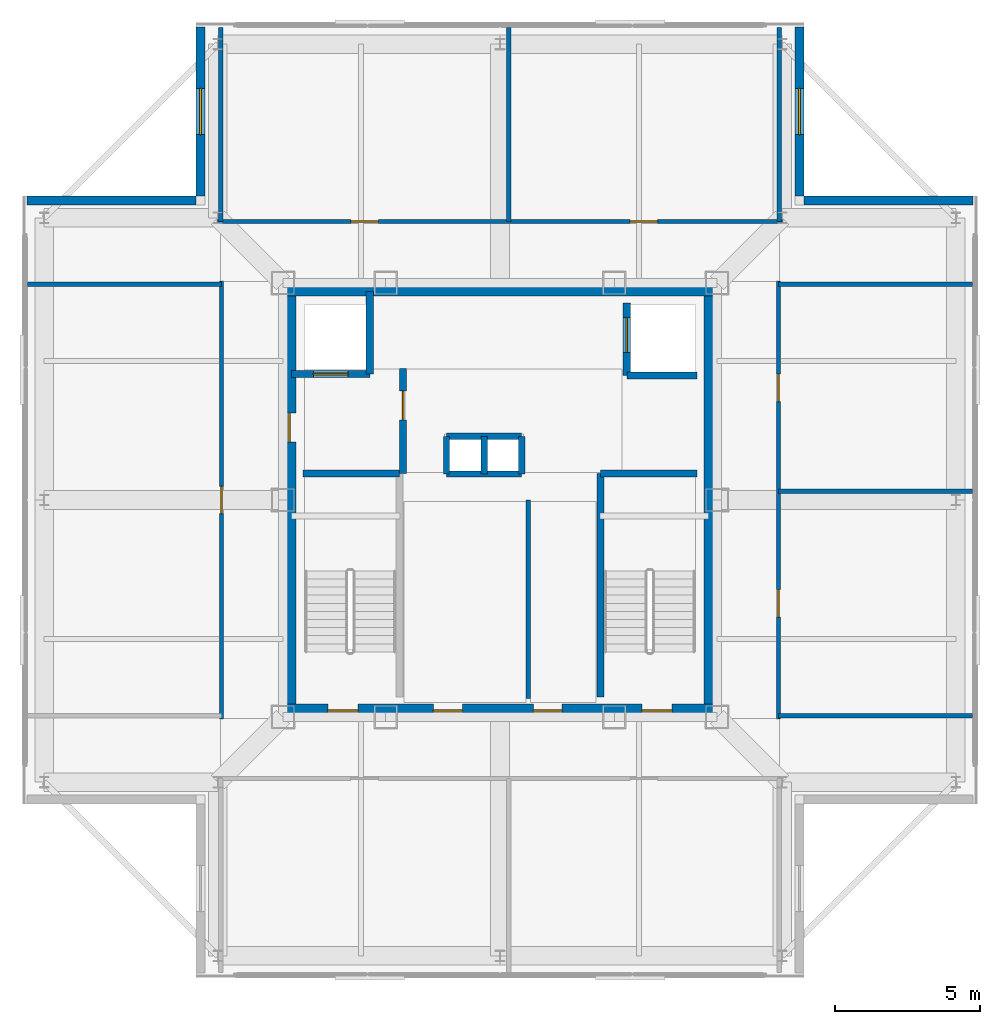
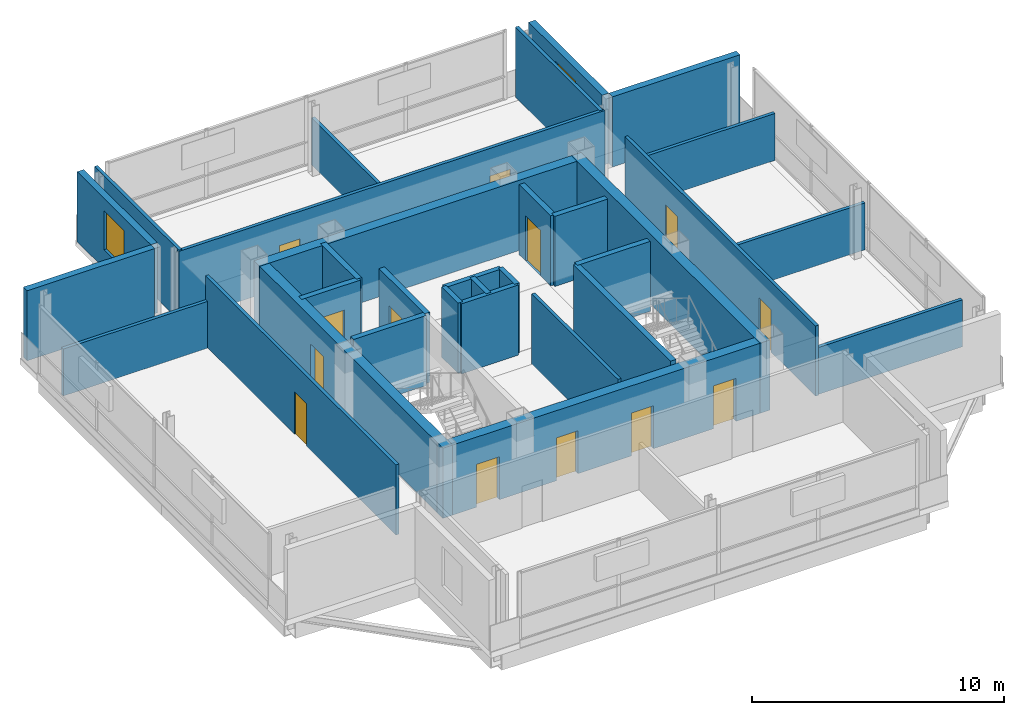
# One storey, part 8 of 11: 32 walls, 13 doors, 2 windows, 15 openings.
"""IFC4 building model written with IfcOpenShell, lengths in metres."""

from ifc_helpers import new_model, si_unit, direction, frame, frame_2d, origin, place, context, subcontext, project, spatial, rectangle, extrude, material, layer, layer_set, type_object, element, fill, save


model = new_model("IFC4")

# Units and contexts
model_context = context("Model", 3, precision=1e-05, world=origin(), true_north=direction((0.0, 1.0)))
body_context = subcontext(model_context, "Body", "Model", "MODEL_VIEW")
ifc_project = project(units=[si_unit("LENGTHUNIT", "METRE"), si_unit("AREAUNIT", "SQUARE_METRE"), si_unit("VOLUMEUNIT", "CUBIC_METRE"), si_unit("PLANEANGLEUNIT", "RADIAN"), si_unit("MASSUNIT", "GRAM", prefix="KILO")], contexts=[model_context])

# Site, building, storey
site_placement = place(None, origin())
site = spatial("IfcSite", under=ifc_project, at=site_placement, CompositionType="ELEMENT")
building_placement = place(site_placement, origin())
building = spatial("IfcBuilding", under=site, at=building_placement, Name="Trevonay Congress Spire", CompositionType="ELEMENT")
storey_placement = place(building_placement, frame((0.0, 0.0, 312.199951171875)))
storey = spatial("IfcBuildingStorey", under=building, at=storey_placement, Name="L82", CompositionType="ELEMENT", Elevation=312.199951171875)

# Wall, openings, doors
ifc_material_1 = material(Name="Concrete C50/60", Category="concrete")
ifc_layer_1 = layer(ifc_material_1, 0.449951171875, Name="Concrete C50/60")
ifc_layer_set_1 = layer_set([ifc_layer_1], Name="Concrete C50/60")
wall_type_1 = type_object("IfcWallType", Name="WAL-CORE-450", PredefinedType="SHEAR", material=ifc_layer_set_1)
wall_1_placement = place(storey_placement, frame((-7.5, -7.27490234375, 0.0), z_axis=(0.0, 0.0, 1.0), x_axis=(1.0, 0.0, 0.0)))
wall_1 = element("IfcWall", 1, at=wall_1_placement, inside=storey, type_object=wall_type_1, Name="L82 South structural core shear wall", PredefinedType="SHEAR", context=body_context, shape_type="SweptSolid", body=[
    extrude(rectangle(XDim=15.0, YDim=0.449951171875, at=frame_2d((7.5, 0.0))), origin(), (0.0, 0.0, 1.0), 3.400146484375),
])
opening_1_placement = place(wall_1_placement, frame((1.550048828125, 0.0, 0.0)))
opening_1 = element("IfcOpeningElement", 2, at=opening_1_placement, cuts=wall_1, Name="Opening D05", PredefinedType="OPENING", context=body_context, shape_type="SweptSolid", body=[
    extrude(rectangle(XDim=1.050048828125, YDim=2.080078125, at=frame_2d((0.52490234375, 1.0400390625))), frame((0.0, 0.23486328125, 0.0), z_axis=(0.0, -1.0, 0.0), x_axis=(1.0, 0.0, 0.0)), (0.0, 0.0, 1.0), 0.469970703125),
])
opening_2_placement = place(wall_1_placement, frame((12.39990234375, 0.0, 0.0)))
opening_2 = element("IfcOpeningElement", 3, at=opening_2_placement, cuts=wall_1, Name="Opening D05", PredefinedType="OPENING", context=body_context, shape_type="SweptSolid", body=[
    extrude(rectangle(XDim=1.050048828125, YDim=2.080078125, at=frame_2d((0.52490234375, 1.0400390625))), frame((0.0, 0.23486328125, 0.0), z_axis=(0.0, -1.0, 0.0), x_axis=(1.0, 0.0, 0.0)), (0.0, 0.0, 1.0), 0.469970703125),
])
opening_3_placement = place(wall_1_placement, frame((5.199951171875, 0.0, 0.0)))
opening_3 = element("IfcOpeningElement", 4, at=opening_3_placement, cuts=wall_1, Name="Opening D06", PredefinedType="OPENING", context=body_context, shape_type="SweptSolid", body=[
    extrude(rectangle(XDim=1.0, YDim=2.080078125, at=frame_2d((0.5, 1.0400390625))), frame((0.0, 0.23486328125, 0.0), z_axis=(0.0, -1.0, 0.0), x_axis=(1.0, 0.0, 0.0)), (0.0, 0.0, 1.0), 0.469970703125),
])
opening_4_placement = place(wall_1_placement, frame((8.64990234375, 0.0, 0.0)))
opening_4 = element("IfcOpeningElement", 5, at=opening_4_placement, cuts=wall_1, Name="Opening D06", PredefinedType="OPENING", context=body_context, shape_type="SweptSolid", body=[
    extrude(rectangle(XDim=1.0, YDim=2.080078125, at=frame_2d((0.5, 1.0400390625))), frame((0.0, 0.23486328125, 0.0), z_axis=(0.0, -1.0, 0.0), x_axis=(1.0, 0.0, 0.0)), (0.0, 0.0, 1.0), 0.469970703125),
])
ifc_material_2 = material(Name="Steel ASTM A572 Grade 50", Category="steel")
door_type_1 = type_object("IfcDoorType", Name="DOR-FIRE-100", OperationType="NOTDEFINED", PredefinedType="DOOR", material=ifc_material_2)
door_1_placement = place(opening_3_placement, origin())
door_1 = element("IfcDoor", 6, at=door_1_placement, inside=storey, type_object=door_type_1, Name="L82 South Core Room 1 Door", OperationType="SINGLE_SWING_RIGHT", OverallHeight=2.080078125, OverallWidth=1.0, PredefinedType="DOOR", context=body_context, shape_type="SweptSolid", body=[
    extrude(rectangle(XDim=1.0, YDim=2.080078125, at=frame_2d((0.5, 1.0400390625))), frame((0.0, 0.02490234375, 0.0), z_axis=(0.0, -1.0, 0.0), x_axis=(1.0, 0.0, 0.0)), (0.0, 0.0, 1.0), 0.050048828125),
])
fill(opening_3, door_1)
door_2_placement = place(opening_4_placement, origin())
door_2 = element("IfcDoor", 7, at=door_2_placement, inside=storey, type_object=door_type_1, Name="L82 South Core Room 2 Door", OperationType="SINGLE_SWING_LEFT", OverallHeight=2.080078125, OverallWidth=1.0, PredefinedType="DOOR", context=body_context, shape_type="SweptSolid", body=[
    extrude(rectangle(XDim=1.0, YDim=2.080078125, at=frame_2d((0.5, 1.0400390625))), frame((0.0, 0.02490234375, 0.0), z_axis=(0.0, -1.0, 0.0), x_axis=(1.0, 0.0, 0.0)), (0.0, 0.0, 1.0), 0.050048828125),
])
fill(opening_4, door_2)
door_type_2 = type_object("IfcDoorType", Name="DOR-STAIR-110", OperationType="NOTDEFINED", PredefinedType="DOOR", material=ifc_material_2)
door_3_placement = place(opening_1_placement, origin())
door_3 = element("IfcDoor", 8, at=door_3_placement, inside=storey, type_object=door_type_2, Name="L82 Protected Stair ST-1 Door", OperationType="SINGLE_SWING_LEFT", OverallHeight=2.080078125, OverallWidth=1.050048828125, PredefinedType="DOOR", context=body_context, shape_type="SweptSolid", body=[
    extrude(rectangle(XDim=1.050048828125, YDim=2.080078125, at=frame_2d((0.52490234375, 1.0400390625))), frame((0.0, 0.02490234375, 0.0), z_axis=(0.0, -1.0, 0.0), x_axis=(1.0, 0.0, 0.0)), (0.0, 0.0, 1.0), 0.050048828125),
])
fill(opening_1, door_3)
door_4_placement = place(opening_2_placement, origin())
door_4 = element("IfcDoor", 9, at=door_4_placement, inside=storey, type_object=door_type_2, Name="L82 Protected Stair ST-2 Door", OperationType="SINGLE_SWING_RIGHT", OverallHeight=2.080078125, OverallWidth=1.050048828125, PredefinedType="DOOR", context=body_context, shape_type="SweptSolid", body=[
    extrude(rectangle(XDim=1.050048828125, YDim=2.080078125, at=frame_2d((0.52490234375, 1.0400390625))), frame((0.0, 0.02490234375, 0.0), z_axis=(0.0, -1.0, 0.0), x_axis=(1.0, 0.0, 0.0)), (0.0, 0.0, 1.0), 0.050048828125),
])
fill(opening_2, door_4)

# Wall
wall_2_placement = place(storey_placement, frame((-7.5, 7.27490234375, 0.0), z_axis=(0.0, 0.0, 1.0), x_axis=(1.0, 0.0, 0.0)))
element("IfcWall", 10, at=wall_2_placement, inside=storey, type_object=wall_type_1, Name="L82 North structural core shear wall", PredefinedType="SHEAR", context=body_context, shape_type="SweptSolid", body=[
    extrude(rectangle(XDim=15.0, YDim=0.449951171875, at=frame_2d((7.5, 0.0))), origin(), (0.0, 0.0, 1.0), 3.400146484375),
])

# Wall, opening, door
wall_3_placement = place(storey_placement, frame((-7.27490234375, -7.5, 0.0), z_axis=(0.0, 0.0, 1.0), x_axis=(0.0, 1.0, 0.0)))
wall_3 = element("IfcWall", 11, at=wall_3_placement, inside=storey, type_object=wall_type_1, Name="L82 West structural core shear wall", PredefinedType="SHEAR", context=body_context, shape_type="SweptSolid", body=[
    extrude(rectangle(XDim=15.0, YDim=0.449951171875, at=frame_2d((7.5, 0.0))), origin(), (0.0, 0.0, 1.0), 3.400146484375),
])
opening_5_placement = place(wall_3_placement, frame((9.5, 0.0, 0.0)))
opening_5 = element("IfcOpeningElement", 12, at=opening_5_placement, cuts=wall_3, Name="Opening D06", PredefinedType="OPENING", context=body_context, shape_type="SweptSolid", body=[
    extrude(rectangle(XDim=1.0, YDim=2.080078125, at=frame_2d((0.5, 1.0400390625))), frame((0.0, 0.23486328125, 0.0), z_axis=(0.0, -1.0, 0.0), x_axis=(1.0, 0.0, 0.0)), (0.0, 0.0, 1.0), 0.469970703125),
])
door_5_placement = place(opening_5_placement, origin())
door_5 = element("IfcDoor", 13, at=door_5_placement, inside=storey, type_object=door_type_1, Name="L82 Firefighting Lift Lobby West Corridor Door", OperationType="SINGLE_SWING_LEFT", OverallHeight=2.080078125, OverallWidth=1.0, PredefinedType="DOOR", context=body_context, shape_type="SweptSolid", body=[
    extrude(rectangle(XDim=1.0, YDim=2.080078125, at=frame_2d((0.5, 1.0400390625))), frame((0.0, 0.02490234375, 0.0), z_axis=(0.0, -1.0, 0.0), x_axis=(1.0, 0.0, 0.0)), (0.0, 0.0, 1.0), 0.050048828125),
])
fill(opening_5, door_5)

# Wall
wall_4_placement = place(storey_placement, frame((7.27490234375, -7.5, 0.0), z_axis=(0.0, 0.0, 1.0), x_axis=(0.0, 1.0, 0.0)))
element("IfcWall", 14, at=wall_4_placement, inside=storey, type_object=wall_type_1, Name="L82 East structural core shear wall", PredefinedType="SHEAR", context=body_context, shape_type="SweptSolid", body=[
    extrude(rectangle(XDim=15.0, YDim=0.449951171875, at=frame_2d((7.5, 0.0))), origin(), (0.0, 0.0, 1.0), 3.400146484375),
])

# Wall, openings, doors
ifc_material_3 = material(Name="Concrete C40/50", Category="concrete")
ifc_layer_2 = layer(ifc_material_3, 0.14990234375, Name="Concrete C40/50")
ifc_layer_set_2 = layer_set([ifc_layer_2], Name="Concrete C40/50")
wall_type_2 = type_object("IfcWallType", Name="WAL-CORR-150", PredefinedType="PARTITIONING", material=ifc_layer_set_2)
wall_5_placement = place(storey_placement, frame((-9.77001953125, 9.6201171875, 0.0), z_axis=(0.0, 0.0, 1.0), x_axis=(1.0, 0.0, 0.0)))
wall_5 = element("IfcWall", 15, at=wall_5_placement, inside=storey, type_object=wall_type_2, Name="L82 interior wall WP-L82N-COR", PredefinedType="PARTITIONING", context=body_context, shape_type="SweptSolid", body=[
    extrude(rectangle(XDim=19.5400390625, YDim=0.14990234375, at=frame_2d((9.77001953125, 0.0))), origin(), (0.0, 0.0, 1.0), 3.400146484375),
])
opening_6_placement = place(wall_5_placement, frame((4.6201171875, 0.0, 0.0)))
opening_6 = element("IfcOpeningElement", 16, at=opening_6_placement, cuts=wall_5, Name="Opening D07", PredefinedType="OPENING", context=body_context, shape_type="SweptSolid", body=[
    extrude(rectangle(XDim=0.949951171875, YDim=2.06005859375, at=frame_2d((0.47509765625, 1.030029296875))), frame((0.0, 0.0849609375, 0.0), z_axis=(0.0, -1.0, 0.0), x_axis=(1.0, 0.0, 0.0)), (0.0, 0.0, 1.0), 0.169921875),
])
opening_7_placement = place(wall_5_placement, frame((14.27001953125, 0.0, 0.0)))
opening_7 = element("IfcOpeningElement", 17, at=opening_7_placement, cuts=wall_5, Name="Opening D07", PredefinedType="OPENING", context=body_context, shape_type="SweptSolid", body=[
    extrude(rectangle(XDim=0.949951171875, YDim=2.06005859375, at=frame_2d((0.47509765625, 1.030029296875))), frame((0.0, 0.0849609375, 0.0), z_axis=(0.0, -1.0, 0.0), x_axis=(1.0, 0.0, 0.0)), (0.0, 0.0, 1.0), 0.169921875),
])
ifc_material_4 = material(Name="Pale Anodised Aluminium EN AW-6063-T6", Category="aluminium")
door_type_3 = type_object("IfcDoorType", Name="DOR-OFFICE-95", OperationType="NOTDEFINED", PredefinedType="DOOR", material=ifc_material_4)
door_6_placement = place(opening_6_placement, origin())
door_6 = element("IfcDoor", 18, at=door_6_placement, inside=storey, type_object=door_type_3, Name="L82 Upper AHU Heat-Recovery Plant Door", OperationType="SINGLE_SWING_LEFT", OverallHeight=2.06005859375, OverallWidth=0.949951171875, PredefinedType="DOOR", context=body_context, shape_type="SweptSolid", body=[
    extrude(rectangle(XDim=0.949951171875, YDim=2.06005859375, at=frame_2d((0.47509765625, 1.030029296875))), frame((0.0, 0.02490234375, 0.0), z_axis=(0.0, -1.0, 0.0), x_axis=(1.0, 0.0, 0.0)), (0.0, 0.0, 1.0), 0.050048828125),
])
fill(opening_6, door_6)
door_7_placement = place(opening_7_placement, origin())
door_7 = element("IfcDoor", 19, at=door_7_placement, inside=storey, type_object=door_type_3, Name="L82 Smoke Extract Fan Plant Door", OperationType="SINGLE_SWING_RIGHT", OverallHeight=2.06005859375, OverallWidth=0.949951171875, PredefinedType="DOOR", context=body_context, shape_type="SweptSolid", body=[
    extrude(rectangle(XDim=0.949951171875, YDim=2.06005859375, at=frame_2d((0.47509765625, 1.030029296875))), frame((0.0, 0.02490234375, 0.0), z_axis=(0.0, -1.0, 0.0), x_axis=(1.0, 0.0, 0.0)), (0.0, 0.0, 1.0), 0.050048828125),
])
fill(opening_7, door_7)

# Wall, opening, door
wall_6_placement = place(storey_placement, frame((-9.6201171875, -7.570068359375, 0.0), z_axis=(0.0, 0.0, 1.0), x_axis=(0.0, 1.0, 0.0)))
wall_6 = element("IfcWall", 20, at=wall_6_placement, inside=storey, type_object=wall_type_2, Name="L82 interior wall WP-L82W-COR", PredefinedType="PARTITIONING", context=body_context, shape_type="SweptSolid", body=[
    extrude(rectangle(XDim=15.14013671875, YDim=0.14990234375, at=frame_2d((7.570068359375, 0.0))), origin(), (0.0, 0.0, 1.0), 3.400146484375),
])
opening_8_placement = place(wall_6_placement, frame((7.094970703125, 0.0, 0.0)))
opening_8 = element("IfcOpeningElement", 21, at=opening_8_placement, cuts=wall_6, Name="Opening D07", PredefinedType="OPENING", context=body_context, shape_type="SweptSolid", body=[
    extrude(rectangle(XDim=0.949951171875, YDim=2.06005859375, at=frame_2d((0.47509765625, 1.030029296875))), frame((0.0, 0.0849609375, 0.0), z_axis=(0.0, -1.0, 0.0), x_axis=(1.0, 0.0, 0.0)), (0.0, 0.0, 1.0), 0.169921875),
])
door_8_placement = place(opening_8_placement, origin())
door_8 = element("IfcDoor", 22, at=door_8_placement, inside=storey, type_object=door_type_3, Name="L82 High-Zone Lift Machine Plant Door", OperationType="SINGLE_SWING_LEFT", OverallHeight=2.06005859375, OverallWidth=0.949951171875, PredefinedType="DOOR", context=body_context, shape_type="SweptSolid", body=[
    extrude(rectangle(XDim=0.949951171875, YDim=2.06005859375, at=frame_2d((0.47509765625, 1.030029296875))), frame((0.0, 0.02490234375, 0.0), z_axis=(0.0, -1.0, 0.0), x_axis=(1.0, 0.0, 0.0)), (0.0, 0.0, 1.0), 0.050048828125),
])
fill(opening_8, door_8)

# Wall, openings, doors
wall_7_placement = place(storey_placement, frame((9.6201171875, -7.570068359375, 0.0), z_axis=(0.0, 0.0, 1.0), x_axis=(0.0, 1.0, 0.0)))
wall_7 = element("IfcWall", 23, at=wall_7_placement, inside=storey, type_object=wall_type_2, Name="L82 interior wall WP-L82E-COR", PredefinedType="PARTITIONING", context=body_context, shape_type="SweptSolid", body=[
    extrude(rectangle(XDim=15.14013671875, YDim=0.14990234375, at=frame_2d((7.570068359375, 0.0))), origin(), (0.0, 0.0, 1.0), 3.400146484375),
])
opening_9_placement = place(wall_7_placement, frame((3.52001953125, 0.0, 0.0)))
opening_9 = element("IfcOpeningElement", 24, at=opening_9_placement, cuts=wall_7, Name="Opening D07", PredefinedType="OPENING", context=body_context, shape_type="SweptSolid", body=[
    extrude(rectangle(XDim=0.949951171875, YDim=2.06005859375, at=frame_2d((0.47509765625, 1.030029296875))), frame((0.0, 0.0849609375, 0.0), z_axis=(0.0, -1.0, 0.0), x_axis=(1.0, 0.0, 0.0)), (0.0, 0.0, 1.0), 0.169921875),
])
opening_10_placement = place(wall_7_placement, frame((10.969970703125, 0.0, 0.0)))
opening_10 = element("IfcOpeningElement", 25, at=opening_10_placement, cuts=wall_7, Name="Opening D07", PredefinedType="OPENING", context=body_context, shape_type="SweptSolid", body=[
    extrude(rectangle(XDim=0.949951171875, YDim=2.06005859375, at=frame_2d((0.47509765625, 1.030029296875))), frame((0.0, 0.0849609375, 0.0), z_axis=(0.0, -1.0, 0.0), x_axis=(1.0, 0.0, 0.0)), (0.0, 0.0, 1.0), 0.169921875),
])
door_9_placement = place(opening_9_placement, origin())
door_9 = element("IfcDoor", 26, at=door_9_placement, inside=storey, type_object=door_type_3, Name="L82 Crown BMS Switchboard Plant Door", OperationType="SINGLE_SWING_RIGHT", OverallHeight=2.06005859375, OverallWidth=0.949951171875, PredefinedType="DOOR", context=body_context, shape_type="SweptSolid", body=[
    extrude(rectangle(XDim=0.949951171875, YDim=2.06005859375, at=frame_2d((0.47509765625, 1.030029296875))), frame((0.0, 0.02490234375, 0.0), z_axis=(0.0, -1.0, 0.0), x_axis=(1.0, 0.0, 0.0)), (0.0, 0.0, 1.0), 0.050048828125),
])
fill(opening_9, door_9)
door_10_placement = place(opening_10_placement, origin())
door_10 = element("IfcDoor", 27, at=door_10_placement, inside=storey, type_object=door_type_3, Name="L82 Pressurization Fan Plant Door", OperationType="SINGLE_SWING_LEFT", OverallHeight=2.06005859375, OverallWidth=0.949951171875, PredefinedType="DOOR", context=body_context, shape_type="SweptSolid", body=[
    extrude(rectangle(XDim=0.949951171875, YDim=2.06005859375, at=frame_2d((0.47509765625, 1.030029296875))), frame((0.0, 0.02490234375, 0.0), z_axis=(0.0, -1.0, 0.0), x_axis=(1.0, 0.0, 0.0)), (0.0, 0.0, 1.0), 0.050048828125),
])
fill(opening_10, door_10)

# Wall, opening, window
ifc_material_5 = material(Name="Precast concrete C40/50", Category="concrete")
ifc_layer_3 = layer(ifc_material_5, 0.300048828125, Name="Precast concrete C40/50")
ifc_layer_set_3 = layer_set([ifc_layer_3], Name="Precast concrete C40/50")
wall_type_3 = type_object("IfcWallType", Name="WAL-EXT-PRECAST-300", PredefinedType="SOLIDWALL", material=ifc_layer_set_3)
wall_8_placement = place(storey_placement, frame((10.35009765625, 16.35009765625, 0.0), z_axis=(0.0, 0.0, 1.0), x_axis=(0.0, -1.0, 0.0)))
wall_8 = element("IfcWall", 28, at=wall_8_placement, inside=storey, type_object=wall_type_3, Name="L82 NE re-entrant notch exterior wall 1", PredefinedType="SOLIDWALL", context=body_context, shape_type="SweptSolid", body=[
    extrude(rectangle(XDim=5.85009765625, YDim=0.300048828125, at=frame_2d((2.925048828125, 0.0))), origin(), (0.0, 0.0, 1.0), 3.400146484375),
])
opening_11_placement = place(wall_8_placement, frame((2.125, 0.0, 0.89990234375)))
opening_11 = element("IfcOpeningElement", 29, at=opening_11_placement, cuts=wall_8, Name="Opening WN04", PredefinedType="OPENING", context=body_context, shape_type="SweptSolid", body=[
    extrude(rectangle(XDim=1.60009765625, YDim=1.89990234375, at=frame_2d((0.800048828125, 0.949951171875))), frame((0.0, 0.16015625, 0.0), z_axis=(0.0, -1.0, 0.0), x_axis=(1.0, 0.0, 0.0)), (0.0, 0.0, 1.0), 0.320068359375),
])
ifc_material_6 = material(Name="Insulated Low-E Vision Glass IGU", Category="glass")
window_type = type_object("IfcWindowType", Name="WIN-CROWN-160X190", PartitioningType="SINGLE_PANEL", PredefinedType="WINDOW", material=ifc_material_6)
window_1_placement = place(opening_11_placement, origin())
window_1 = element("IfcWindow", 30, at=window_1_placement, inside=storey, type_object=window_type, Name="L82 NE corner notch window", OverallHeight=1.89990234375, OverallWidth=1.60009765625, PartitioningType="SINGLE_PANEL", PredefinedType="WINDOW", context=body_context, shape_type="SweptSolid", body=[
    extrude(rectangle(XDim=1.60009765625, YDim=1.89990234375, at=frame_2d((0.800048828125, 0.949951171875))), frame((0.0, 0.030029296875, 0.0), z_axis=(0.0, -1.0, 0.0), x_axis=(1.0, 0.0, 0.0)), (0.0, 0.0, 1.0), 0.06005859375),
])
fill(opening_11, window_1)

# Wall
wall_9_placement = place(storey_placement, frame((16.35009765625, 10.35009765625, 0.0), z_axis=(0.0, 0.0, 1.0), x_axis=(-1.0, 0.0, 0.0)))
element("IfcWall", 31, at=wall_9_placement, inside=storey, type_object=wall_type_3, Name="L82 NE re-entrant notch exterior wall 2", PredefinedType="SOLIDWALL", context=body_context, shape_type="SweptSolid", body=[
    extrude(rectangle(XDim=5.85009765625, YDim=0.300048828125, at=frame_2d((2.925048828125, 0.0))), origin(), (0.0, 0.0, 1.0), 3.400146484375),
])

# Wall, opening, window
wall_10_placement = place(storey_placement, frame((-10.35009765625, 16.35009765625, 0.0), z_axis=(0.0, 0.0, 1.0), x_axis=(0.0, -1.0, 0.0)))
wall_10 = element("IfcWall", 32, at=wall_10_placement, inside=storey, type_object=wall_type_3, Name="L82 NW re-entrant notch exterior wall 1", PredefinedType="SOLIDWALL", context=body_context, shape_type="SweptSolid", body=[
    extrude(rectangle(XDim=5.85009765625, YDim=0.300048828125, at=frame_2d((2.925048828125, 0.0))), origin(), (0.0, 0.0, 1.0), 3.400146484375),
])
opening_12_placement = place(wall_10_placement, frame((2.125, 0.0, 0.89990234375)))
opening_12 = element("IfcOpeningElement", 33, at=opening_12_placement, cuts=wall_10, Name="Opening WN04", PredefinedType="OPENING", context=body_context, shape_type="SweptSolid", body=[
    extrude(rectangle(XDim=1.60009765625, YDim=1.89990234375, at=frame_2d((0.800048828125, 0.949951171875))), frame((0.0, 0.16015625, 0.0), z_axis=(0.0, -1.0, 0.0), x_axis=(1.0, 0.0, 0.0)), (0.0, 0.0, 1.0), 0.320068359375),
])
window_2_placement = place(opening_12_placement, origin())
window_2 = element("IfcWindow", 34, at=window_2_placement, inside=storey, type_object=window_type, Name="L82 NW corner notch window", OverallHeight=1.89990234375, OverallWidth=1.60009765625, PartitioningType="SINGLE_PANEL", PredefinedType="WINDOW", context=body_context, shape_type="SweptSolid", body=[
    extrude(rectangle(XDim=1.60009765625, YDim=1.89990234375, at=frame_2d((0.800048828125, 0.949951171875))), frame((0.0, 0.030029296875, 0.0), z_axis=(0.0, -1.0, 0.0), x_axis=(1.0, 0.0, 0.0)), (0.0, 0.0, 1.0), 0.06005859375),
])
fill(opening_12, window_2)

# Walls
wall_11_placement = place(storey_placement, frame((-16.35009765625, 10.35009765625, 0.0), z_axis=(0.0, 0.0, 1.0), x_axis=(1.0, 0.0, 0.0)))
element("IfcWall", 35, at=wall_11_placement, inside=storey, type_object=wall_type_3, Name="L82 NW re-entrant notch exterior wall 2", PredefinedType="SOLIDWALL", context=body_context, shape_type="SweptSolid", body=[
    extrude(rectangle(XDim=5.85009765625, YDim=0.300048828125, at=frame_2d((2.925048828125, 0.0))), origin(), (0.0, 0.0, 1.0), 3.400146484375),
])
ifc_layer_4 = layer(ifc_material_3, 0.14990234375, Name="Concrete C40/50")
ifc_layer_set_4 = layer_set([ifc_layer_4], Name="Concrete C40/50")
wall_type_4 = type_object("IfcWallType", Name="WAL-PART-150", PredefinedType="PARTITIONING", material=ifc_layer_set_4)
wall_12_placement = place(storey_placement, frame((0.97998046875, -6.85009765625, 0.0), z_axis=(0.0, 0.0, 1.0), x_axis=(0.0, 1.0, 0.0)))
element("IfcWall", 36, at=wall_12_placement, inside=storey, type_object=wall_type_4, Name="L82 interior wall CW-F3-L82", PredefinedType="PARTITIONING", context=body_context, shape_type="SweptSolid", body=[
    extrude(rectangle(XDim=6.85009765625, YDim=0.14990234375, at=frame_2d((3.425048828125, 0.0))), origin(), (0.0, 0.0, 1.0), 3.400146484375),
])
wall_13_placement = place(storey_placement, frame((-9.64990234375, 9.6201171875, 0.0), z_axis=(0.0, 0.0, 1.0), x_axis=(0.0, 1.0, 0.0)))
element("IfcWall", 37, at=wall_13_placement, inside=storey, type_object=wall_type_4, Name="L82 interior wall WP-L82N-DIV1", PredefinedType="PARTITIONING", context=body_context, shape_type="SweptSolid", body=[
    extrude(rectangle(XDim=6.699951171875, YDim=0.14990234375, at=frame_2d((3.35009765625, 0.0))), origin(), (0.0, 0.0, 1.0), 3.400146484375),
])
wall_14_placement = place(storey_placement, frame((0.300048828125, 9.6201171875, 0.0), z_axis=(0.0, 0.0, 1.0), x_axis=(0.0, 1.0, 0.0)))
element("IfcWall", 38, at=wall_14_placement, inside=storey, type_object=wall_type_4, Name="L82 interior wall WP-L82N-DIV2", PredefinedType="PARTITIONING", context=body_context, shape_type="SweptSolid", body=[
    extrude(rectangle(XDim=6.699951171875, YDim=0.14990234375, at=frame_2d((3.35009765625, 0.0))), origin(), (0.0, 0.0, 1.0), 2.275146484375),
])
wall_15_placement = place(storey_placement, frame((9.64990234375, 9.6201171875, 0.0), z_axis=(0.0, 0.0, 1.0), x_axis=(0.0, 1.0, 0.0)))
element("IfcWall", 39, at=wall_15_placement, inside=storey, type_object=wall_type_4, Name="L82 interior wall WP-L82N-DIV3", PredefinedType="PARTITIONING", context=body_context, shape_type="SweptSolid", body=[
    extrude(rectangle(XDim=6.699951171875, YDim=0.14990234375, at=frame_2d((3.35009765625, 0.0))), origin(), (0.0, 0.0, 1.0), 3.400146484375),
])
for number, where, z_axis, x_axis, name in (
    (40, (-16.320068359375, 7.449951171875, 0.0), (0.0, 0.0, 1.0), (1.0, 0.0, 0.0), "L82 interior wall WP-L82W-DIV2"),
    (41, (9.6201171875, -7.449951171875, 0.0), (0.0, 0.0, 1.0), (1.0, 0.0, 0.0), "L82 interior wall WP-L82E-DIV1"),
    (42, (9.6201171875, 0.300048828125, 0.0), (0.0, 0.0, 1.0), (1.0, 0.0, 0.0), "L82 interior wall WP-L82E-DIV2"),
    (43, (9.6201171875, 7.449951171875, 0.0), (0.0, 0.0, 1.0), (1.0, 0.0, 0.0), "L82 interior wall WP-L82E-DIV3"),
):
    element("IfcWall", number, at=place(storey_placement, frame(where, z_axis=z_axis, x_axis=x_axis)), inside=storey, type_object=wall_type_4, Name=name, PredefinedType="PARTITIONING", context=body_context, shape_type="SweptSolid", body=[
        extrude(rectangle(XDim=6.699951171875, YDim=0.14990234375, at=frame_2d((3.35009765625, 0.0))), origin(), (0.0, 0.0, 1.0), 2.275146484375),
    ])
ifc_layer_5 = layer(ifc_material_3, 0.219970703125, Name="Concrete C40/50")
ifc_layer_set_5 = layer_set([ifc_layer_5], Name="Concrete C40/50")
wall_type_5 = type_object("IfcWallType", Name="WAL-SHAFT-220", PredefinedType="PARTITIONING", material=ifc_layer_set_5)
for number, where, z_axis, x_axis, name in (
    (44, (-1.85009765625, 2.199951171875, 0.0), (0.0, 0.0, 1.0), (1.0, 0.0, 0.0), "L82 interior shaft wall WSH-L82-RSR-N"),
    (45, (-1.85009765625, 0.89990234375, 0.0), (0.0, 0.0, 1.0), (1.0, 0.0, 0.0), "L82 interior shaft wall WSH-L82-RSR-S"),
):
    element("IfcWall", number, at=place(storey_placement, frame(where, z_axis=z_axis, x_axis=x_axis)), inside=storey, type_object=wall_type_5, Name=name, PredefinedType="PARTITIONING", context=body_context, shape_type="SweptSolid", body=[
        extrude(rectangle(XDim=2.60009765625, YDim=0.219970703125, at=frame_2d((1.300048828125, 0.0))), origin(), (0.0, 0.0, 1.0), 3.400146484375),
    ])
for number, where, z_axis, x_axis, name in (
    (46, (-0.550048828125, 0.89990234375, 0.0), (0.0, 0.0, 1.0), (0.0, 1.0, 0.0), "L82 interior shaft wall WSH-L82-RSR-M"),
    (47, (0.75, 0.89990234375, 0.0), (0.0, 0.0, 1.0), (0.0, 1.0, 0.0), "L82 interior shaft wall WSH-L82-RSR-E"),
    (48, (-1.85009765625, 0.89990234375, 0.0), (0.0, 0.0, 1.0), (0.0, 1.0, 0.0), "L82 interior shaft wall WSH-L82-RSR-W"),
):
    element("IfcWall", number, at=place(storey_placement, frame(where, z_axis=z_axis, x_axis=x_axis)), inside=storey, type_object=wall_type_5, Name=name, PredefinedType="PARTITIONING", context=body_context, shape_type="SweptSolid", body=[
        extrude(rectangle(XDim=1.300048828125, YDim=0.219970703125, at=frame_2d((0.64990234375, 0.0))), origin(), (0.0, 0.0, 1.0), 3.400146484375),
    ])

# Wall, opening, door
ifc_layer_6 = layer(ifc_material_3, 0.25, Name="Concrete C40/50")
ifc_layer_set_6 = layer_set([ifc_layer_6], Name="Concrete C40/50")
wall_type_6 = type_object("IfcWallType", Name="WAL-SHAFT-250", PredefinedType="SHEAR", material=ifc_layer_set_6)
wall_16_placement = place(storey_placement, frame((-7.199951171875, 4.35009765625, 0.0), z_axis=(0.0, 0.0, 1.0), x_axis=(1.0, 0.0, 0.0)))
wall_16 = element("IfcWall", 49, at=wall_16_placement, inside=storey, type_object=wall_type_6, Name="L82 interior shaft wall WSH-L82-FF1-S", PredefinedType="SHEAR", context=body_context, shape_type="SweptSolid", body=[
    extrude(rectangle(XDim=2.699951171875, YDim=0.25, at=frame_2d((1.35009765625, 0.0))), origin(), (0.0, 0.0, 1.0), 3.400146484375),
])
opening_13_placement = place(wall_16_placement, frame((0.75, 0.0, 0.0)))
opening_13 = element("IfcOpeningElement", 50, at=opening_13_placement, cuts=wall_16, Name="Opening LD04", PredefinedType="OPENING", context=body_context, shape_type="SweptSolid", body=[
    extrude(rectangle(XDim=1.199951171875, YDim=2.199951171875, at=frame_2d((0.60009765625, 1.10009765625))), frame((0.0, 0.135009765625, 0.0), z_axis=(0.0, -1.0, 0.0), x_axis=(1.0, 0.0, 0.0)), (0.0, 0.0, 1.0), 0.27001953125),
])
door_type_4 = type_object("IfcDoorType", Name="DOR-LIFT-LD04", OperationType="DOUBLE_DOOR_SLIDING", PredefinedType="DOOR", material=ifc_material_2)
door_11_placement = place(opening_13_placement, origin())
door_11 = element("IfcDoor", 51, at=door_11_placement, inside=storey, type_object=door_type_4, Name="L82 Firefighting lift FFL-01 landing door", OperationType="DOUBLE_DOOR_SLIDING", OverallHeight=2.199951171875, OverallWidth=1.199951171875, PredefinedType="DOOR", context=body_context, shape_type="SweptSolid", body=[
    extrude(rectangle(XDim=1.199951171875, YDim=2.199951171875, at=frame_2d((0.60009765625, 1.10009765625))), frame((0.0, 0.02490234375, 0.0), z_axis=(0.0, -1.0, 0.0), x_axis=(1.0, 0.0, 0.0)), (0.0, 0.0, 1.0), 0.050048828125),
])
fill(opening_13, door_11)

# Walls
wall_17_placement = place(storey_placement, frame((-4.5, 4.35009765625, 0.0), z_axis=(0.0, 0.0, 1.0), x_axis=(0.0, 1.0, 0.0)))
element("IfcWall", 52, at=wall_17_placement, inside=storey, type_object=wall_type_6, Name="L82 interior shaft wall WSH-L82-FF1-E", PredefinedType="SHEAR", context=body_context, shape_type="SweptSolid", body=[
    extrude(rectangle(XDim=2.849853515625, YDim=0.25, at=frame_2d((1.4248046875, 0.0))), origin(), (0.0, 0.0, 1.0), 3.400146484375),
])
wall_18_placement = place(storey_placement, frame((4.3798828125, 4.300048828125, 0.0), z_axis=(0.0, 0.0, 1.0), x_axis=(1.0, 0.0, 0.0)))
element("IfcWall", 53, at=wall_18_placement, inside=storey, type_object=wall_type_6, Name="L82 interior shaft wall WSH-L82-FF2-S", PredefinedType="SHEAR", context=body_context, shape_type="SweptSolid", body=[
    extrude(rectangle(XDim=2.420166015625, YDim=0.25, at=frame_2d((1.2099609375, 0.0))), origin(), (0.0, 0.0, 1.0), 3.400146484375),
])

# Wall, opening, door
wall_19_placement = place(storey_placement, frame((4.3798828125, 4.300048828125, 0.0), z_axis=(0.0, 0.0, 1.0), x_axis=(0.0, 1.0, 0.0)))
wall_19 = element("IfcWall", 54, at=wall_19_placement, inside=storey, type_object=wall_type_6, Name="L82 interior shaft wall WSH-L82-FF2-W", PredefinedType="SHEAR", context=body_context, shape_type="SweptSolid", body=[
    extrude(rectangle(XDim=2.5, YDim=0.25, at=frame_2d((1.25, 0.0))), origin(), (0.0, 0.0, 1.0), 3.400146484375),
])
opening_14_placement = place(wall_19_placement, frame((0.800048828125, 0.0, 0.0)))
opening_14 = element("IfcOpeningElement", 55, at=opening_14_placement, cuts=wall_19, Name="Opening LD04", PredefinedType="OPENING", context=body_context, shape_type="SweptSolid", body=[
    extrude(rectangle(XDim=1.199951171875, YDim=2.199951171875, at=frame_2d((0.60009765625, 1.10009765625))), frame((0.0, 0.135009765625, 0.0), z_axis=(0.0, -1.0, 0.0), x_axis=(1.0, 0.0, 0.0)), (0.0, 0.0, 1.0), 0.27001953125),
])
door_12_placement = place(opening_14_placement, origin())
door_12 = element("IfcDoor", 56, at=door_12_placement, inside=storey, type_object=door_type_4, Name="L82 Firefighting lift FFL-02 landing door", OperationType="DOUBLE_DOOR_SLIDING", OverallHeight=2.199951171875, OverallWidth=1.199951171875, PredefinedType="DOOR", context=body_context, shape_type="SweptSolid", body=[
    extrude(rectangle(XDim=1.199951171875, YDim=2.199951171875, at=frame_2d((0.60009765625, 1.10009765625))), frame((0.0, 0.02490234375, 0.0), z_axis=(0.0, -1.0, 0.0), x_axis=(1.0, 0.0, 0.0)), (0.0, 0.0, 1.0), 0.050048828125),
])
fill(opening_14, door_12)

wall_20_placement = place(storey_placement, frame((-3.35009765625, 0.919921875, 0.0), z_axis=(0.0, 0.0, 1.0), x_axis=(0.0, 1.0, 0.0)))
wall_20 = element("IfcWall", 57, at=wall_20_placement, inside=storey, type_object=wall_type_6, Name="L82 interior wall CW-FFLW-E-L82", PredefinedType="SHEAR", context=body_context, shape_type="SweptSolid", body=[
    extrude(rectangle(XDim=3.6201171875, YDim=0.25, at=frame_2d((1.81005859375, 0.0))), origin(), (0.0, 0.0, 1.0), 3.400146484375),
])
opening_15_placement = place(wall_20_placement, frame((1.85009765625, 0.0, 0.0)))
opening_15 = element("IfcOpeningElement", 58, at=opening_15_placement, cuts=wall_20, Name="Opening D06", PredefinedType="OPENING", context=body_context, shape_type="SweptSolid", body=[
    extrude(rectangle(XDim=1.0, YDim=2.080078125, at=frame_2d((0.5, 1.0400390625))), frame((0.0, 0.135009765625, 0.0), z_axis=(0.0, -1.0, 0.0), x_axis=(1.0, 0.0, 0.0)), (0.0, 0.0, 1.0), 0.27001953125),
])
door_13_placement = place(opening_15_placement, origin())
door_13 = element("IfcDoor", 59, at=door_13_placement, inside=storey, type_object=door_type_1, Name="L82 Firefighting Core Lobby Transfer Door", OperationType="SINGLE_SWING_RIGHT", OverallHeight=2.080078125, OverallWidth=1.0, PredefinedType="DOOR", context=body_context, shape_type="SweptSolid", body=[
    extrude(rectangle(XDim=1.0, YDim=2.080078125, at=frame_2d((0.5, 1.0400390625))), frame((0.0, 0.02490234375, 0.0), z_axis=(0.0, -1.0, 0.0), x_axis=(1.0, 0.0, 0.0)), (0.0, 0.0, 1.0), 0.050048828125),
])
fill(opening_15, door_13)

# Walls
ifc_layer_7 = layer(ifc_material_3, 0.25, Name="Concrete C40/50")
ifc_layer_set_7 = layer_set([ifc_layer_7], Name="Concrete C40/50")
wall_type_7 = type_object("IfcWallType", Name="WAL-SHAFT-LB-250", PredefinedType="SHEAR", material=ifc_layer_set_7)
wall_21_placement = place(storey_placement, frame((-6.800048828125, 0.919921875, 0.0), z_axis=(0.0, 0.0, 1.0), x_axis=(1.0, 0.0, 0.0)))
element("IfcWall", 60, at=wall_21_placement, inside=storey, type_object=wall_type_7, Name="L82 interior shaft wall WSH-L82-ST1-N", PredefinedType="SHEAR", context=body_context, shape_type="SweptSolid", body=[
    extrude(rectangle(XDim=3.330078125, YDim=0.25, at=frame_2d((1.6650390625, 0.0))), origin(), (0.0, 0.0, 1.0), 3.400146484375),
])
wall_22_placement = place(storey_placement, frame((3.469970703125, -6.800048828125, 0.0), z_axis=(0.0, 0.0, 1.0), x_axis=(0.0, 1.0, 0.0)))
element("IfcWall", 61, at=wall_22_placement, inside=storey, type_object=wall_type_7, Name="L82 interior shaft wall WSH-L82-ST2-W", PredefinedType="SHEAR", context=body_context, shape_type="SweptSolid", body=[
    extrude(rectangle(XDim=7.719970703125, YDim=0.25, at=frame_2d((3.85986328125, 0.0))), origin(), (0.0, 0.0, 1.0), 3.400146484375),
])
wall_23_placement = place(storey_placement, frame((3.469970703125, 0.919921875, 0.0), z_axis=(0.0, 0.0, 1.0), x_axis=(1.0, 0.0, 0.0)))
element("IfcWall", 62, at=wall_23_placement, inside=storey, type_object=wall_type_7, Name="L82 interior shaft wall WSH-L82-ST2-N", PredefinedType="SHEAR", context=body_context, shape_type="SweptSolid", body=[
    extrude(rectangle(XDim=3.330078125, YDim=0.25, at=frame_2d((1.6650390625, 0.0))), origin(), (0.0, 0.0, 1.0), 3.400146484375),
])

save(model, "model.ifc")
